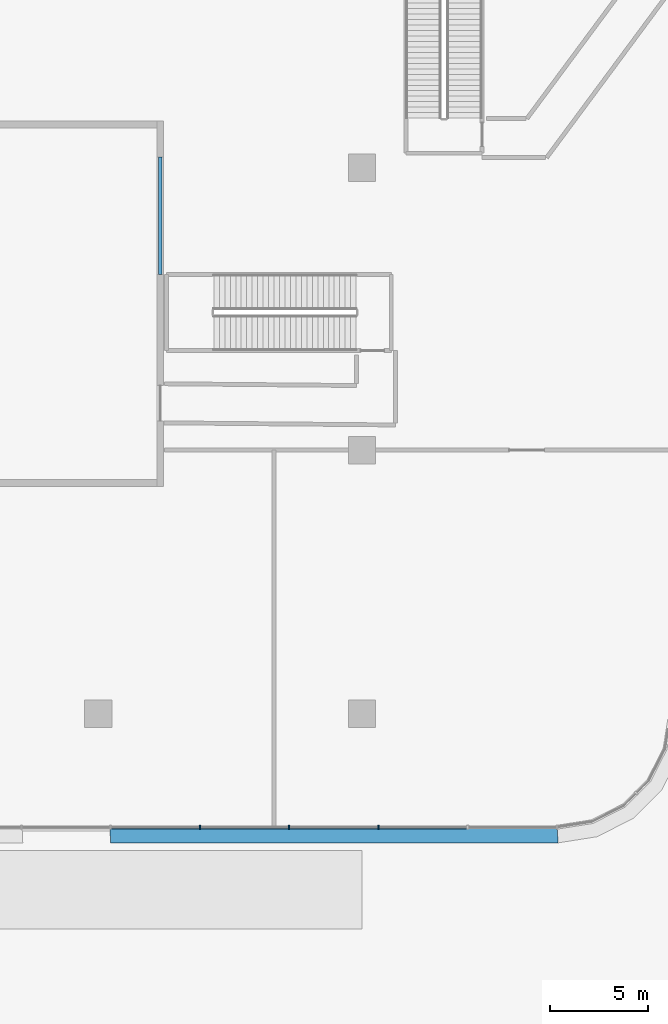
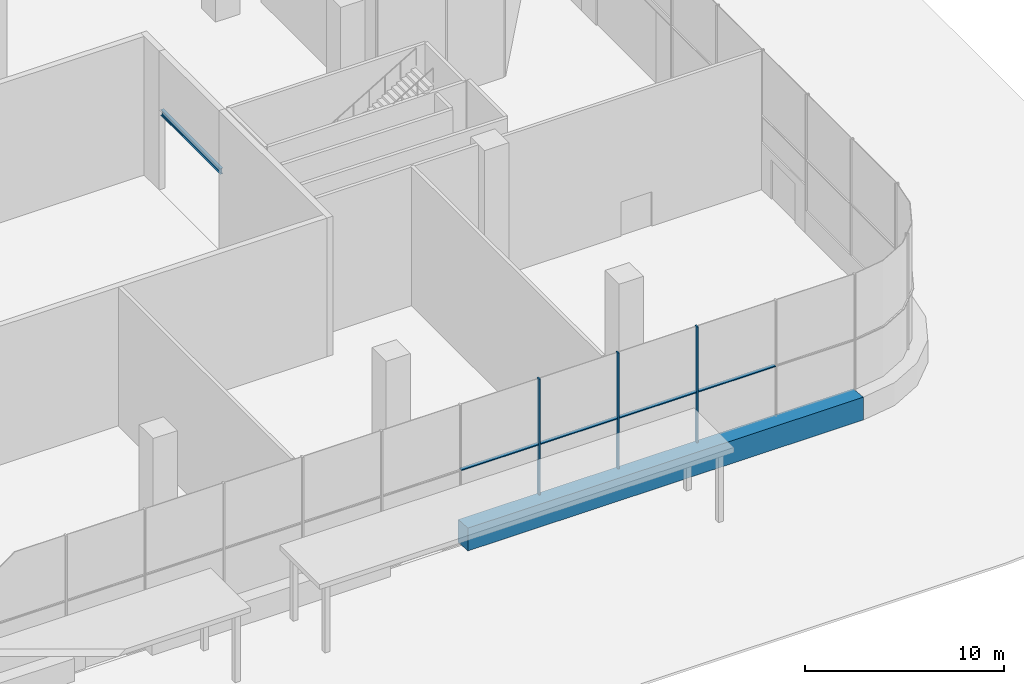
# One storey, part 6 of 54: 8 members, 1 beam, 1 element without a shape of its own.
"""IFC4 building model written with IfcOpenShell, lengths in metres."""

from ifc_helpers import new_model, si_unit, direction, frame, origin, origin_2d, place, context, subcontext, project, spatial, polyline, rectangle, i_section, outline, extrude, material, layer, layer_set, material_profile, profile_set, type_object, element, aggregate, save


model = new_model("IFC4")

# Units and contexts
model_context = context("Model", 3, precision=1e-05, world=origin(), true_north=direction((0.0, 1.0)))
body_context = subcontext(model_context, "Body", "Model", "MODEL_VIEW")
ifc_project = project(units=[si_unit("LENGTHUNIT", "METRE"), si_unit("AREAUNIT", "SQUARE_METRE"), si_unit("VOLUMEUNIT", "CUBIC_METRE"), si_unit("PLANEANGLEUNIT", "RADIAN"), si_unit("MASSUNIT", "GRAM", prefix="KILO")], contexts=[model_context])

# Site, building, storey
site_placement = place(None, origin())
site = spatial("IfcSite", under=ifc_project, at=site_placement, CompositionType="ELEMENT")
building_placement = place(site_placement, origin())
building = spatial("IfcBuilding", under=site, at=building_placement, Name="Tamarind Cross Interchange Tower", CompositionType="ELEMENT")
storey_placement = place(building_placement, origin())
storey = spatial("IfcBuildingStorey", under=building, at=storey_placement, Name="L00", CompositionType="ELEMENT", Elevation=0.0)

# Curtain wall, members
ifc_material_1 = material(Name="Aluminium 6063-T6", Category="aluminium")
ifc_layer = layer(ifc_material_1, 0.199951171875)
ifc_layer_set = layer_set([ifc_layer], Name="Aluminium 6063-T6")
curtain_wall_type = type_object("IfcCurtainWallType", Name="Podium shopfront and station curtain wall", PredefinedType="NOTDEFINED", material=ifc_layer_set)
curtain_wall_placement = place(storey_placement, origin())
curtain_wall = element("IfcCurtainWall", 1, at=curtain_wall_placement, inside=storey, type_object=curtain_wall_type, Name="CWS-L00-06", PredefinedType="NOTDEFINED")
ifc_material_2 = material(Name="Aluminium and insulated spandrel panel", Category="aluminium")
member_type_1 = type_object("IfcMemberType", Name="Floor-edge blade transom", PredefinedType="USERDEFINED", material=ifc_material_2)
member_1_placement = place(storey_placement, origin())
member_1 = element("IfcMember", 2, at=member_1_placement, type_object=member_type_1, Name="CWT-L00-06-7", ObjectType="TRANSOM", PredefinedType="USERDEFINED", context=body_context, shape_type="SweptSolid", body=[
    extrude(outline(polyline([(41.087646484375, -59.699951171875), (63.976318359375, -59.699951171875), (64.047119140625, -60.60009765625), (41.13330078125, -60.60009765625), (41.087646484375, -59.699951171875)])), origin(), (0.0, 0.0, 1.0), 1.39990234375),
])
ifc_material_profile_1 = material_profile(ifc_material_1, rectangle(XDim=0.080078125, YDim=0.199951171875, at=origin_2d()), Name="Mullion CW3")
ifc_profile_set_1 = profile_set([ifc_material_profile_1], Name="Aluminium 6063-T6")
member_type_2 = type_object("IfcMemberType", Name="Mullion CW3", PredefinedType="MULLION", material=ifc_profile_set_1)
member_2_placement = place(storey_placement, frame((45.703125, -59.800048828125, 1.39990234375), z_axis=(0.0, 0.0, 1.0), x_axis=(1.0, 0.0, 0.0)))
member_2 = element("IfcMember", 3, at=member_2_placement, type_object=member_type_2, Name="CWM-L00-06-24", PredefinedType="MULLION", context=body_context, shape_type="SweptSolid", body=[
    extrude(rectangle(XDim=0.080078125, YDim=0.199951171875, at=origin_2d()), origin(), (0.0, 0.0, 1.0), 7.10009765625),
])
member_3_placement = place(storey_placement, frame((50.2734375, -59.800048828125, 1.39990234375), z_axis=(0.0, 0.0, 1.0), x_axis=(1.0, 0.0, 0.0)))
member_3 = element("IfcMember", 4, at=member_3_placement, type_object=member_type_2, Name="CWM-L00-06-25", PredefinedType="MULLION", context=body_context, shape_type="SweptSolid", body=[
    extrude(rectangle(XDim=0.080078125, YDim=0.199951171875, at=origin_2d()), origin(), (0.0, 0.0, 1.0), 7.10009765625),
])
member_4_placement = place(storey_placement, frame((54.84375, -59.800048828125, 1.39990234375), z_axis=(0.0, 0.0, 1.0), x_axis=(1.0, 0.0, 0.0)))
member_4 = element("IfcMember", 5, at=member_4_placement, type_object=member_type_2, Name="CWM-L00-06-26", PredefinedType="MULLION", context=body_context, shape_type="SweptSolid", body=[
    extrude(rectangle(XDim=0.080078125, YDim=0.199951171875, at=origin_2d()), origin(), (0.0, 0.0, 1.0), 7.10009765625),
])
member_type_3 = type_object("IfcMemberType", Name="Podium intermediate transom", PredefinedType="USERDEFINED", material=ifc_material_1)
member_5_placement = place(storey_placement, frame((0.0, 0.0, 4.469970703125)))
member_5 = element("IfcMember", 6, at=member_5_placement, type_object=member_type_3, Name="CWT-L00-06-I0-23", ObjectType="TRANSOM", PredefinedType="USERDEFINED", context=body_context, shape_type="SweptSolid", body=[
    extrude(outline(polyline([(41.1728515625, -59.699951171875), (45.6630859375, -59.699951171875), (45.6630859375, -59.89990234375), (41.1728515625, -59.89990234375), (41.1728515625, -59.699951171875)])), origin(), (0.0, 0.0, 1.0), 0.06005859375),
])
member_6_placement = place(storey_placement, frame((0.0, 0.0, 4.469970703125)))
member_6 = element("IfcMember", 7, at=member_6_placement, type_object=member_type_3, Name="CWT-L00-06-I0-24", ObjectType="TRANSOM", PredefinedType="USERDEFINED", context=body_context, shape_type="SweptSolid", body=[
    extrude(outline(polyline([(45.7431640625, -59.699951171875), (50.2333984375, -59.699951171875), (50.2333984375, -59.89990234375), (45.7431640625, -59.89990234375), (45.7431640625, -59.699951171875)])), origin(), (0.0, 0.0, 1.0), 0.06005859375),
])
member_7_placement = place(storey_placement, frame((0.0, 0.0, 4.469970703125)))
member_7 = element("IfcMember", 8, at=member_7_placement, type_object=member_type_3, Name="CWT-L00-06-I0-25", ObjectType="TRANSOM", PredefinedType="USERDEFINED", context=body_context, shape_type="SweptSolid", body=[
    extrude(outline(polyline([(50.313232421875, -59.699951171875), (54.8037109375, -59.699951171875), (54.8037109375, -59.89990234375), (50.313232421875, -59.89990234375), (50.313232421875, -59.699951171875)])), origin(), (0.0, 0.0, 1.0), 0.06005859375),
])
member_8_placement = place(storey_placement, frame((0.0, 0.0, 4.469970703125)))
member_8 = element("IfcMember", 9, at=member_8_placement, type_object=member_type_3, Name="CWT-L00-06-I0-26", ObjectType="TRANSOM", PredefinedType="USERDEFINED", context=body_context, shape_type="SweptSolid", body=[
    extrude(outline(polyline([(54.883544921875, -59.699951171875), (59.3740234375, -59.699951171875), (59.3740234375, -59.89990234375), (54.883544921875, -59.89990234375), (54.883544921875, -59.699951171875)])), origin(), (0.0, 0.0, 1.0), 0.06005859375),
])
aggregate(curtain_wall, [member_2, member_3, member_4, member_5, member_6, member_7, member_8, member_1])

# Beam
ifc_material_3 = material(Name="Steel Q355B", Category="steel")
ifc_material_profile_2 = material_profile(ifc_material_3, i_section(OverallWidth=0.174072265625, OverallDepth=0.345947265625, WebThickness=0.006103515625, FlangeThickness=0.009033203125, FilletRadius=0.012939453125, at=origin_2d()), Name="HN 346x174x6x9")
ifc_profile_set_2 = profile_set([ifc_material_profile_2], Name="Steel Q355B")
beam_type = type_object("IfcBeamType", Name="Portal lintel beam HN 346x174x6x9 Q355B", PredefinedType="BEAM", material=ifc_profile_set_2)
beam_placement = place(storey_placement, frame((43.675048828125, -31.5, 4.72705078125), z_axis=(0.0, 1.0, 0.0), x_axis=(-1.0, 0.0, 0.0)))
element("IfcBeam", 10, at=beam_placement, inside=storey, type_object=beam_type, Name="Lintel over the SE fire lane portal", PredefinedType="BEAM", context=body_context, shape_type="SweptSolid", body=[
    extrude(i_section(OverallWidth=0.174072265625, OverallDepth=0.345947265625, WebThickness=0.006103515625, FlangeThickness=0.009033203125, FilletRadius=0.012939453125, at=origin_2d()), origin(), (0.0, 0.0, 1.0), 6.0),
])

save(model, "model.ifc")
